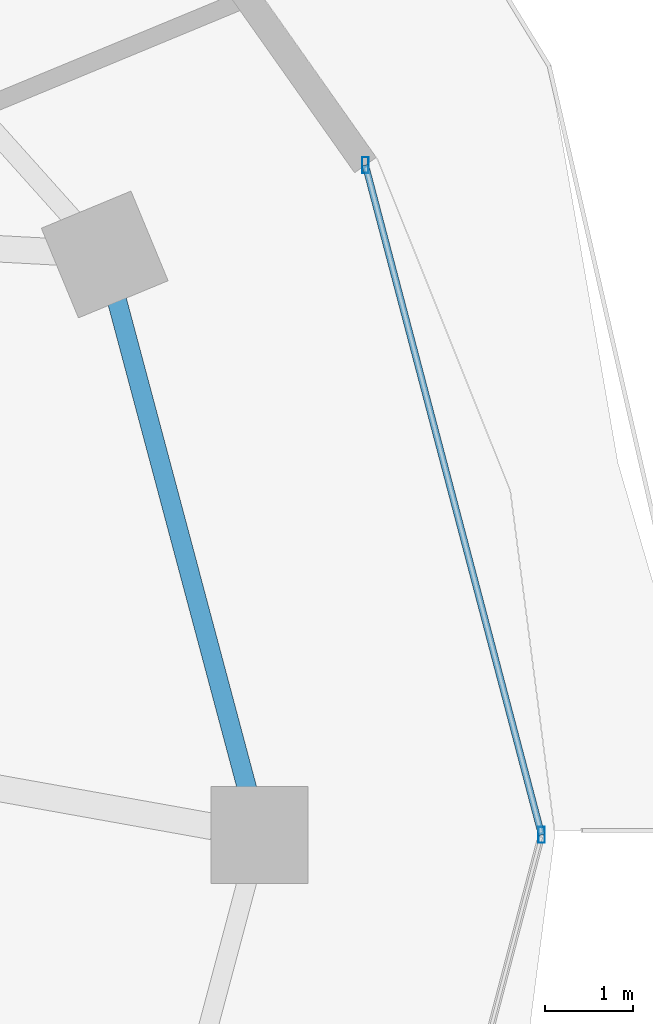
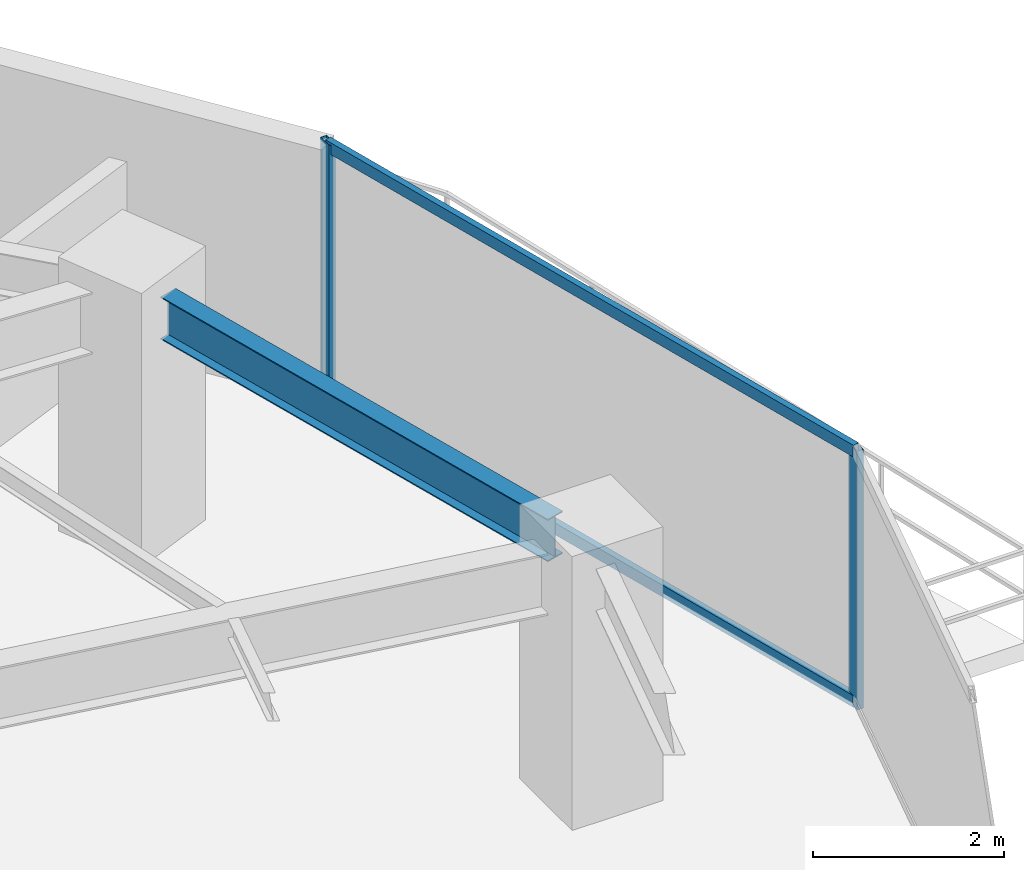
# One storey, part 16 of 31: 4 members, 1 beam, 1 element without a shape of its own.
"""IFC4 building model written with IfcOpenShell, lengths in metres."""

from ifc_helpers import new_model, si_unit, direction, frame, origin, origin_2d, place, context, subcontext, project, spatial, hollow_rectangle, i_section, extrude, material, material_profile, profile_set, type_object, element, aggregate, save


model = new_model("IFC4")

# Units and contexts
model_context = context("Model", 3, precision=1e-05, world=origin(), true_north=direction((0.0, 1.0)))
body_context = subcontext(model_context, "Body", "Model", "MODEL_VIEW")
ifc_project = project(units=[si_unit("LENGTHUNIT", "METRE"), si_unit("AREAUNIT", "SQUARE_METRE"), si_unit("VOLUMEUNIT", "CUBIC_METRE"), si_unit("PLANEANGLEUNIT", "RADIAN"), si_unit("MASSUNIT", "GRAM", prefix="KILO")], contexts=[model_context])

# Site, building, storey
site_placement = place(None, origin())
site = spatial("IfcSite", under=ifc_project, at=site_placement, CompositionType="ELEMENT")
building_placement = place(site_placement, origin())
building = spatial("IfcBuilding", under=site, at=building_placement, Name="Vorneva Point Tower", CompositionType="ELEMENT")
storey_placement = place(building_placement, frame((0.0, 0.0, 99.800048828125)))
storey = spatial("IfcBuildingStorey", under=building, at=storey_placement, Name="L26", CompositionType="ELEMENT", Elevation=99.800048828125)

# Beam
ifc_material_1 = material(Name="Steel S355", Category="steel")
ifc_material_profile_1 = material_profile(ifc_material_1, i_section(OverallWidth=0.219970703125, OverallDepth=0.54296875, WebThickness=0.009521484375, FlangeThickness=0.013427734375, at=origin_2d()), Name="55B1")
ifc_profile_set_1 = profile_set([ifc_material_profile_1], Name="Steel S355")
beam_type = type_object("IfcBeamType", Name="BM-SPN-55B1", PredefinedType="SPANDREL", material=ifc_profile_set_1)
beam_placement = place(storey_placement, frame((60.912109375, 26.516845703125, 2.968505859375), z_axis=(-0.257572674071, 0.966258928845, 0.0), x_axis=(-0.966258928845, -0.257572674071, 0.0)))
element("IfcBeam", 1, at=beam_placement, inside=storey, type_object=beam_type, Name="L26 Perimeter Spandrel Ring Beam 01", PredefinedType="SPANDREL", context=body_context, shape_type="SweptSolid", body=[
    extrude(i_section(OverallWidth=0.219970703125, OverallDepth=0.54296875, WebThickness=0.009521484375, FlangeThickness=0.013427734375, at=origin_2d()), origin(), (0.0, 0.0, 1.0), 5.7421875),
])

# Curtain wall, members
ifc_material_2 = material(Name="Pale anodised aluminium", Category="aluminium")
curtain_wall_type = type_object("IfcCurtainWallType", Name="CW-HTL-SYS", PredefinedType="NOTDEFINED", material=ifc_material_2)
curtain_wall_placement = place(storey_placement, origin())
curtain_wall = element("IfcCurtainWall", 2, at=curtain_wall_placement, inside=storey, type_object=curtain_wall_type, Name="L26 Unitised Curtain Wall CW-L26-R01", PredefinedType="NOTDEFINED")
ifc_material_profile_2 = material_profile(ifc_material_2, hollow_rectangle(XDim=0.074951171875, YDim=0.179931640625, WallThickness=0.00390625, at=origin_2d()), Name="AL-MUL 180x75x4")
ifc_profile_set_2 = profile_set([ifc_material_profile_2], Name="Pale anodised aluminium")
member_type_1 = type_object("IfcMemberType", Name="CW-MUL-180", PredefinedType="MULLION", material=ifc_profile_set_2)
member_1_placement = place(storey_placement, frame((64.25, 26.0, -0.0400390625), z_axis=(0.0, 0.0, 1.0), x_axis=(1.0, 0.0, 0.0)))
member_1 = element("IfcMember", 3, at=member_1_placement, type_object=member_type_1, Name="CW-L26-R01 Mullion 03", PredefinedType="MULLION", context=body_context, shape_type="SweptSolid", body=[
    extrude(hollow_rectangle(XDim=0.074951171875, YDim=0.179931640625, WallThickness=0.00390625, at=origin_2d()), origin(), (0.0, 0.0, 1.0), 3.31005859375),
])
member_2_placement = place(storey_placement, frame((62.251708984375, 33.59619140625, -0.0400390625), z_axis=(0.0, 0.0, 1.0), x_axis=(1.0, 0.0, 0.0)))
member_2 = element("IfcMember", 4, at=member_2_placement, type_object=member_type_1, Name="CW-L26-R01 Mullion 04", PredefinedType="MULLION", context=body_context, shape_type="SweptSolid", body=[
    extrude(hollow_rectangle(XDim=0.074951171875, YDim=0.179931640625, WallThickness=0.00390625, at=origin_2d()), origin(), (0.0, 0.0, 1.0), 3.31005859375),
])
ifc_material_profile_3 = material_profile(ifc_material_2, hollow_rectangle(XDim=0.074951171875, YDim=0.14990234375, WallThickness=0.00390625, at=origin_2d()), Name="AL-TRN 150x75x4")
ifc_profile_set_3 = profile_set([ifc_material_profile_3], Name="Pale anodised aluminium")
member_type_2 = type_object("IfcMemberType", Name="CW-TRN-150", PredefinedType="USERDEFINED", material=ifc_profile_set_3)
member_3_placement = place(storey_placement, frame((64.25, 26.0, 0.02001953125), z_axis=(-0.254409150465, 0.967096677773, 0.0), x_axis=(-0.967096677773, -0.254409150465, 0.0)))
member_3 = element("IfcMember", 5, at=member_3_placement, type_object=member_type_2, Name="CW-L26-R01 Transom 03.1", ObjectType="TRANSOM", PredefinedType="USERDEFINED", context=body_context, shape_type="SweptSolid", body=[
    extrude(hollow_rectangle(XDim=0.074951171875, YDim=0.14990234375, WallThickness=0.00390625, at=origin_2d()), origin(), (0.0, 0.0, 1.0), 7.854736328125),
])
member_4_placement = place(storey_placement, frame((64.25, 26.0, 3.219970703125), z_axis=(-0.254409150465, 0.967096677773, 0.0), x_axis=(-0.967096677773, -0.254409150465, 0.0)))
member_4 = element("IfcMember", 6, at=member_4_placement, type_object=member_type_2, Name="CW-L26-R01 Transom 03.2", ObjectType="TRANSOM", PredefinedType="USERDEFINED", context=body_context, shape_type="SweptSolid", body=[
    extrude(hollow_rectangle(XDim=0.074951171875, YDim=0.14990234375, WallThickness=0.00390625, at=origin_2d()), origin(), (0.0, 0.0, 1.0), 7.854736328125),
])
aggregate(curtain_wall, [member_1, member_2, member_3, member_4])

save(model, "model.ifc")
